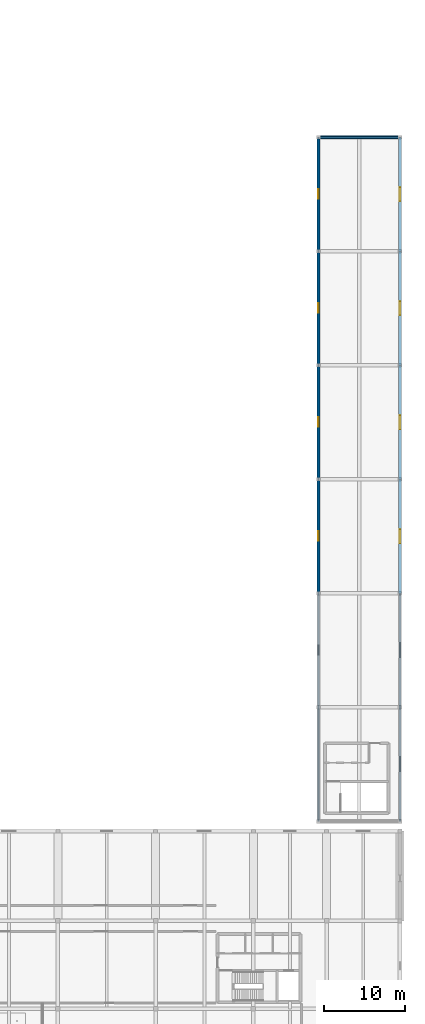
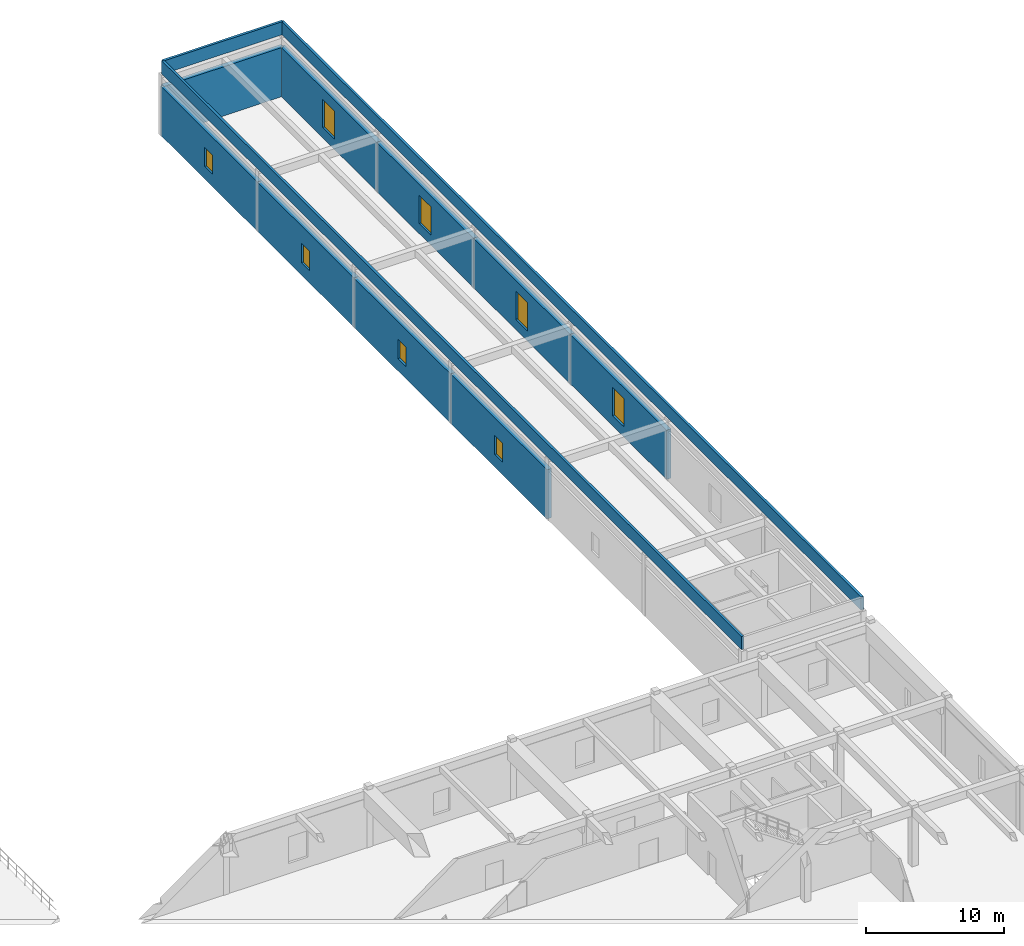
# One storey, part 86 of 97: 12 walls, 8 windows, 8 openings.
"""IFC4 building model written with IfcOpenShell, lengths in metres."""

from ifc_helpers import new_model, si_unit, derived_unit, direction, frame, frame_2d, origin, place, context, subcontext, project, spatial, rectangle, extrude, material, layer, layer_set, type_object, element, fill, save


model = new_model("IFC4")

# Units and contexts
model_context = context("Model", 3, precision=1e-05, world=origin(), true_north=direction((0.0, 1.0)))
body_context = subcontext(model_context, "Body", "Model", "MODEL_VIEW")
ifc_project = project(units=[si_unit("LENGTHUNIT", "METRE"), si_unit("AREAUNIT", "SQUARE_METRE"), si_unit("VOLUMEUNIT", "CUBIC_METRE"), si_unit("PLANEANGLEUNIT", "RADIAN"), si_unit("MASSUNIT", "GRAM", prefix="KILO"), derived_unit("THERMALTRANSMITTANCEUNIT", [(si_unit("POWERUNIT", "WATT"), 1), (si_unit("LENGTHUNIT", "METRE"), -2), (si_unit("THERMODYNAMICTEMPERATUREUNIT", "KELVIN"), -1)])], contexts=[model_context])

# Site, building, storey
site_placement = place(None, origin())
site = spatial("IfcSite", under=ifc_project, at=site_placement, CompositionType="ELEMENT")
building_placement = place(site_placement, origin())
building = spatial("IfcBuilding", under=site, at=building_placement, Name="Almenara Railside Exhibition Hall", CompositionType="ELEMENT")
storey_placement = place(building_placement, frame((0.0, 0.0, 10.800048828125)))
storey = spatial("IfcBuildingStorey", under=building, at=storey_placement, Name="L02", CompositionType="ELEMENT", Elevation=10.800048828125)

# Wall, opening, window
ifc_material_1 = material(Name="Ochre-white lime-rendered masonry over Concrete C35/45", Category="masonry")
ifc_layer_1 = layer(ifc_material_1, 0.385009765625, Name="Ochre-white lime-rendered masonry over Concrete C35/45")
ifc_layer_set_1 = layer_set([ifc_layer_1], Name="Ochre-white lime-rendered masonry over Concrete C35/45")
wall_type_1 = type_object("IfcWallType", Name="Exterior Arcade Spandrel Wall 385mm C35/45", PredefinedType="SOLIDWALL", material=ifc_layer_set_1)
wall_1_placement = place(storey_placement, frame((204.0, 62.0, 0.0), z_axis=(0.0, 0.0, 1.0), x_axis=(0.0, 1.0, 0.0)))
wall_1 = element("IfcWall", 1, at=wall_1_placement, inside=storey, type_object=wall_type_1, Name="Exterior wall 0270", PredefinedType="SOLIDWALL", context=body_context, shape_type="SweptSolid", body=[
    extrude(rectangle(XDim=14.0, YDim=0.385009765625, at=frame_2d((7.0, 0.0))), origin(), (0.0, 0.0, 1.0), 4.349853515625),
])
opening_1_placement = place(wall_1_placement, frame((6.14990234375, 0.0, 0.89990234375)))
opening_1 = element("IfcOpeningElement", 2, at=opening_1_placement, cuts=wall_1, Name="Opening W-06", PredefinedType="OPENING", context=body_context, shape_type="SweptSolid", body=[
    extrude(rectangle(XDim=1.699951171875, YDim=2.5, at=frame_2d((0.85009765625, 1.25))), frame((0.0, 0.202392578125, 0.0), z_axis=(0.0, -1.0, 0.0), x_axis=(1.0, 0.0, 0.0)), (0.0, 0.0, 1.0), 0.405029296875),
])
ifc_material_2 = material(Name="Bronze-anodised aluminium and low-E double glazing", Category="aluminium")
window_type_1 = type_object("IfcWindowType", Name="East Gallery Arched Window 1700x2500", PartitioningType="DOUBLE_PANEL_VERTICAL", PredefinedType="WINDOW", material=ifc_material_2)
window_1_placement = place(opening_1_placement, origin())
window_1 = element("IfcWindow", 3, at=window_1_placement, inside=storey, type_object=window_type_1, Name="Window 0115", OverallHeight=2.5, OverallWidth=1.699951171875, PartitioningType="DOUBLE_PANEL_VERTICAL", PredefinedType="WINDOW", context=body_context, shape_type="SweptSolid", body=[
    extrude(rectangle(XDim=1.699951171875, YDim=2.5, at=frame_2d((0.85009765625, 1.25))), frame((0.0, 0.030029296875, 0.0), z_axis=(0.0, -1.0, 0.0), x_axis=(1.0, 0.0, 0.0)), (0.0, 0.0, 1.0), 0.06005859375),
])
fill(opening_1, window_1)

wall_2_placement = place(storey_placement, frame((194.0, 76.0, 0.0), z_axis=(0.0, 0.0, 1.0), x_axis=(0.0, -1.0, 0.0)))
wall_2 = element("IfcWall", 4, at=wall_2_placement, inside=storey, type_object=wall_type_1, Name="Exterior wall 0271", PredefinedType="SOLIDWALL", context=body_context, shape_type="SweptSolid", body=[
    extrude(rectangle(XDim=14.0, YDim=0.385009765625, at=frame_2d((7.0, 0.0))), origin(), (0.0, 0.0, 1.0), 4.349853515625),
])
opening_2_placement = place(wall_2_placement, frame((6.39990234375, 0.0, 1.10009765625)))
opening_2 = element("IfcOpeningElement", 5, at=opening_2_placement, cuts=wall_2, Name="Opening W-11", PredefinedType="OPENING", context=body_context, shape_type="SweptSolid", body=[
    extrude(rectangle(XDim=1.14990234375, YDim=1.699951171875, at=frame_2d((0.574951171875, 0.85009765625))), frame((0.0, 0.202392578125, 0.0), z_axis=(0.0, -1.0, 0.0), x_axis=(1.0, 0.0, 0.0)), (0.0, 0.0, 1.0), 0.405029296875),
])
window_type_2 = type_object("IfcWindowType", Name="South Gallery Punched Window 1150x1700", PartitioningType="SINGLE_PANEL", PredefinedType="WINDOW", material=ifc_material_2)
window_2_placement = place(opening_2_placement, origin())
window_2 = element("IfcWindow", 6, at=window_2_placement, inside=storey, type_object=window_type_2, Name="Window 0116", OverallHeight=1.699951171875, OverallWidth=1.14990234375, PartitioningType="SINGLE_PANEL", PredefinedType="WINDOW", context=body_context, shape_type="SweptSolid", body=[
    extrude(rectangle(XDim=1.14990234375, YDim=1.699951171875, at=frame_2d((0.574951171875, 0.85009765625))), frame((0.0, 0.030029296875, 0.0), z_axis=(0.0, -1.0, 0.0), x_axis=(1.0, 0.0, 0.0)), (0.0, 0.0, 1.0), 0.06005859375),
])
fill(opening_2, window_2)

wall_3_placement = place(storey_placement, frame((204.0, 76.0, 0.0), z_axis=(0.0, 0.0, 1.0), x_axis=(0.0, 1.0, 0.0)))
wall_3 = element("IfcWall", 7, at=wall_3_placement, inside=storey, type_object=wall_type_1, Name="Exterior wall 0272", PredefinedType="SOLIDWALL", context=body_context, shape_type="SweptSolid", body=[
    extrude(rectangle(XDim=14.0, YDim=0.385009765625, at=frame_2d((7.0, 0.0))), origin(), (0.0, 0.0, 1.0), 4.349853515625),
])
opening_3_placement = place(wall_3_placement, frame((6.14990234375, 0.0, 0.89990234375)))
opening_3 = element("IfcOpeningElement", 8, at=opening_3_placement, cuts=wall_3, Name="Opening W-06", PredefinedType="OPENING", context=body_context, shape_type="SweptSolid", body=[
    extrude(rectangle(XDim=1.699951171875, YDim=2.5, at=frame_2d((0.85009765625, 1.25))), frame((0.0, 0.202392578125, 0.0), z_axis=(0.0, -1.0, 0.0), x_axis=(1.0, 0.0, 0.0)), (0.0, 0.0, 1.0), 0.405029296875),
])
window_3_placement = place(opening_3_placement, origin())
window_3 = element("IfcWindow", 9, at=window_3_placement, inside=storey, type_object=window_type_1, Name="Window 0117", OverallHeight=2.5, OverallWidth=1.699951171875, PartitioningType="DOUBLE_PANEL_VERTICAL", PredefinedType="WINDOW", context=body_context, shape_type="SweptSolid", body=[
    extrude(rectangle(XDim=1.699951171875, YDim=2.5, at=frame_2d((0.85009765625, 1.25))), frame((0.0, 0.030029296875, 0.0), z_axis=(0.0, -1.0, 0.0), x_axis=(1.0, 0.0, 0.0)), (0.0, 0.0, 1.0), 0.06005859375),
])
fill(opening_3, window_3)

wall_4_placement = place(storey_placement, frame((194.0, 90.0, 0.0), z_axis=(0.0, 0.0, 1.0), x_axis=(0.0, -1.0, 0.0)))
wall_4 = element("IfcWall", 10, at=wall_4_placement, inside=storey, type_object=wall_type_1, Name="Exterior wall 0273", PredefinedType="SOLIDWALL", context=body_context, shape_type="SweptSolid", body=[
    extrude(rectangle(XDim=14.0, YDim=0.385009765625, at=frame_2d((7.0, 0.0))), origin(), (0.0, 0.0, 1.0), 4.349853515625),
])
opening_4_placement = place(wall_4_placement, frame((6.39990234375, 0.0, 1.10009765625)))
opening_4 = element("IfcOpeningElement", 11, at=opening_4_placement, cuts=wall_4, Name="Opening W-11", PredefinedType="OPENING", context=body_context, shape_type="SweptSolid", body=[
    extrude(rectangle(XDim=1.14990234375, YDim=1.699951171875, at=frame_2d((0.574951171875, 0.85009765625))), frame((0.0, 0.202392578125, 0.0), z_axis=(0.0, -1.0, 0.0), x_axis=(1.0, 0.0, 0.0)), (0.0, 0.0, 1.0), 0.405029296875),
])
window_4_placement = place(opening_4_placement, origin())
window_4 = element("IfcWindow", 12, at=window_4_placement, inside=storey, type_object=window_type_2, Name="Window 0118", OverallHeight=1.699951171875, OverallWidth=1.14990234375, PartitioningType="SINGLE_PANEL", PredefinedType="WINDOW", context=body_context, shape_type="SweptSolid", body=[
    extrude(rectangle(XDim=1.14990234375, YDim=1.699951171875, at=frame_2d((0.574951171875, 0.85009765625))), frame((0.0, 0.030029296875, 0.0), z_axis=(0.0, -1.0, 0.0), x_axis=(1.0, 0.0, 0.0)), (0.0, 0.0, 1.0), 0.06005859375),
])
fill(opening_4, window_4)

wall_5_placement = place(storey_placement, frame((204.0, 90.0, 0.0), z_axis=(0.0, 0.0, 1.0), x_axis=(0.0, 1.0, 0.0)))
wall_5 = element("IfcWall", 13, at=wall_5_placement, inside=storey, type_object=wall_type_1, Name="Exterior wall 0274", PredefinedType="SOLIDWALL", context=body_context, shape_type="SweptSolid", body=[
    extrude(rectangle(XDim=14.0, YDim=0.385009765625, at=frame_2d((7.0, 0.0))), origin(), (0.0, 0.0, 1.0), 4.349853515625),
])
opening_5_placement = place(wall_5_placement, frame((6.14990234375, 0.0, 0.89990234375)))
opening_5 = element("IfcOpeningElement", 14, at=opening_5_placement, cuts=wall_5, Name="Opening W-06", PredefinedType="OPENING", context=body_context, shape_type="SweptSolid", body=[
    extrude(rectangle(XDim=1.699951171875, YDim=2.5, at=frame_2d((0.85009765625, 1.25))), frame((0.0, 0.202392578125, 0.0), z_axis=(0.0, -1.0, 0.0), x_axis=(1.0, 0.0, 0.0)), (0.0, 0.0, 1.0), 0.405029296875),
])
window_5_placement = place(opening_5_placement, origin())
window_5 = element("IfcWindow", 15, at=window_5_placement, inside=storey, type_object=window_type_1, Name="Window 0119", OverallHeight=2.5, OverallWidth=1.699951171875, PartitioningType="DOUBLE_PANEL_VERTICAL", PredefinedType="WINDOW", context=body_context, shape_type="SweptSolid", body=[
    extrude(rectangle(XDim=1.699951171875, YDim=2.5, at=frame_2d((0.85009765625, 1.25))), frame((0.0, 0.030029296875, 0.0), z_axis=(0.0, -1.0, 0.0), x_axis=(1.0, 0.0, 0.0)), (0.0, 0.0, 1.0), 0.06005859375),
])
fill(opening_5, window_5)

wall_6_placement = place(storey_placement, frame((194.0, 104.0, 0.0), z_axis=(0.0, 0.0, 1.0), x_axis=(0.0, -1.0, 0.0)))
wall_6 = element("IfcWall", 16, at=wall_6_placement, inside=storey, type_object=wall_type_1, Name="Exterior wall 0275", PredefinedType="SOLIDWALL", context=body_context, shape_type="SweptSolid", body=[
    extrude(rectangle(XDim=14.0, YDim=0.385009765625, at=frame_2d((7.0, 0.0))), origin(), (0.0, 0.0, 1.0), 4.349853515625),
])
opening_6_placement = place(wall_6_placement, frame((6.39990234375, 0.0, 1.10009765625)))
opening_6 = element("IfcOpeningElement", 17, at=opening_6_placement, cuts=wall_6, Name="Opening W-11", PredefinedType="OPENING", context=body_context, shape_type="SweptSolid", body=[
    extrude(rectangle(XDim=1.14990234375, YDim=1.699951171875, at=frame_2d((0.574951171875, 0.85009765625))), frame((0.0, 0.202392578125, 0.0), z_axis=(0.0, -1.0, 0.0), x_axis=(1.0, 0.0, 0.0)), (0.0, 0.0, 1.0), 0.405029296875),
])
window_6_placement = place(opening_6_placement, origin())
window_6 = element("IfcWindow", 18, at=window_6_placement, inside=storey, type_object=window_type_2, Name="Window 0120", OverallHeight=1.699951171875, OverallWidth=1.14990234375, PartitioningType="SINGLE_PANEL", PredefinedType="WINDOW", context=body_context, shape_type="SweptSolid", body=[
    extrude(rectangle(XDim=1.14990234375, YDim=1.699951171875, at=frame_2d((0.574951171875, 0.85009765625))), frame((0.0, 0.030029296875, 0.0), z_axis=(0.0, -1.0, 0.0), x_axis=(1.0, 0.0, 0.0)), (0.0, 0.0, 1.0), 0.06005859375),
])
fill(opening_6, window_6)

wall_7_placement = place(storey_placement, frame((204.0, 104.0, 0.0), z_axis=(0.0, 0.0, 1.0), x_axis=(0.0, 1.0, 0.0)))
wall_7 = element("IfcWall", 19, at=wall_7_placement, inside=storey, type_object=wall_type_1, Name="Exterior wall 0276", PredefinedType="SOLIDWALL", context=body_context, shape_type="SweptSolid", body=[
    extrude(rectangle(XDim=14.0, YDim=0.385009765625, at=frame_2d((7.0, 0.0))), origin(), (0.0, 0.0, 1.0), 4.349853515625),
])
opening_7_placement = place(wall_7_placement, frame((6.14990234375, 0.0, 0.89990234375)))
opening_7 = element("IfcOpeningElement", 20, at=opening_7_placement, cuts=wall_7, Name="Opening W-06", PredefinedType="OPENING", context=body_context, shape_type="SweptSolid", body=[
    extrude(rectangle(XDim=1.699951171875, YDim=2.5, at=frame_2d((0.85009765625, 1.25))), frame((0.0, 0.202392578125, 0.0), z_axis=(0.0, -1.0, 0.0), x_axis=(1.0, 0.0, 0.0)), (0.0, 0.0, 1.0), 0.405029296875),
])
window_7_placement = place(opening_7_placement, origin())
window_7 = element("IfcWindow", 21, at=window_7_placement, inside=storey, type_object=window_type_1, Name="Window 0121", OverallHeight=2.5, OverallWidth=1.699951171875, PartitioningType="DOUBLE_PANEL_VERTICAL", PredefinedType="WINDOW", context=body_context, shape_type="SweptSolid", body=[
    extrude(rectangle(XDim=1.699951171875, YDim=2.5, at=frame_2d((0.85009765625, 1.25))), frame((0.0, 0.030029296875, 0.0), z_axis=(0.0, -1.0, 0.0), x_axis=(1.0, 0.0, 0.0)), (0.0, 0.0, 1.0), 0.06005859375),
])
fill(opening_7, window_7)

wall_8_placement = place(storey_placement, frame((194.0, 118.0, 0.0), z_axis=(0.0, 0.0, 1.0), x_axis=(0.0, -1.0, 0.0)))
wall_8 = element("IfcWall", 22, at=wall_8_placement, inside=storey, type_object=wall_type_1, Name="Exterior wall 0277", PredefinedType="SOLIDWALL", context=body_context, shape_type="SweptSolid", body=[
    extrude(rectangle(XDim=14.0, YDim=0.385009765625, at=frame_2d((7.0, 0.0))), origin(), (0.0, 0.0, 1.0), 4.349853515625),
])
opening_8_placement = place(wall_8_placement, frame((6.39990234375, 0.0, 1.10009765625)))
opening_8 = element("IfcOpeningElement", 23, at=opening_8_placement, cuts=wall_8, Name="Opening W-11", PredefinedType="OPENING", context=body_context, shape_type="SweptSolid", body=[
    extrude(rectangle(XDim=1.14990234375, YDim=1.699951171875, at=frame_2d((0.574951171875, 0.85009765625))), frame((0.0, 0.202392578125, 0.0), z_axis=(0.0, -1.0, 0.0), x_axis=(1.0, 0.0, 0.0)), (0.0, 0.0, 1.0), 0.405029296875),
])
window_8_placement = place(opening_8_placement, origin())
window_8 = element("IfcWindow", 24, at=window_8_placement, inside=storey, type_object=window_type_2, Name="Window 0122", OverallHeight=1.699951171875, OverallWidth=1.14990234375, PartitioningType="SINGLE_PANEL", PredefinedType="WINDOW", context=body_context, shape_type="SweptSolid", body=[
    extrude(rectangle(XDim=1.14990234375, YDim=1.699951171875, at=frame_2d((0.574951171875, 0.85009765625))), frame((0.0, 0.030029296875, 0.0), z_axis=(0.0, -1.0, 0.0), x_axis=(1.0, 0.0, 0.0)), (0.0, 0.0, 1.0), 0.06005859375),
])
fill(opening_8, window_8)

# Walls
wall_9_placement = place(storey_placement, frame((204.0, 118.0, 0.0), z_axis=(0.0, 0.0, 1.0), x_axis=(-1.0, 0.0, 0.0)))
element("IfcWall", 25, at=wall_9_placement, inside=storey, type_object=wall_type_1, Name="Exterior wall 0279", PredefinedType="SOLIDWALL", context=body_context, shape_type="SweptSolid", body=[
    extrude(rectangle(XDim=10.0, YDim=0.385009765625, at=frame_2d((5.0, 0.0))), origin(), (0.0, 0.0, 1.0), 4.349853515625),
])
ifc_material_3 = material(Name="Ochre-white lime-rendered Concrete C35/45", Category="concrete")
ifc_layer_2 = layer(ifc_material_3, 0.205078125, Name="Ochre-white lime-rendered Concrete C35/45")
ifc_layer_set_2 = layer_set([ifc_layer_2], Name="Ochre-white lime-rendered Concrete C35/45")
wall_type_2 = type_object("IfcWallType", Name="Stucco Roof Parapet Wall 205mm C35/45", PredefinedType="PARAPET", material=ifc_layer_set_2)
wall_10_placement = place(storey_placement, frame((204.0, 34.0, 5.39990234375), z_axis=(0.0, 0.0, 1.0), x_axis=(0.0, 1.0, 0.0)))
element("IfcWall", 26, at=wall_10_placement, inside=storey, type_object=wall_type_2, Name="Exterior wall 0298", PredefinedType="PARAPET", context=body_context, shape_type="SweptSolid", body=[
    extrude(rectangle(XDim=84.0, YDim=0.205078125, at=frame_2d((42.0, 0.0))), origin(), (0.0, 0.0, 1.0), 1.150146484375),
])
wall_11_placement = place(storey_placement, frame((204.0, 118.0, 5.39990234375), z_axis=(0.0, 0.0, 1.0), x_axis=(-1.0, 0.0, 0.0)))
element("IfcWall", 27, at=wall_11_placement, inside=storey, type_object=wall_type_2, Name="Exterior wall 0299", PredefinedType="PARAPET", context=body_context, shape_type="SweptSolid", body=[
    extrude(rectangle(XDim=10.0, YDim=0.205078125, at=frame_2d((5.0, 0.0))), origin(), (0.0, 0.0, 1.0), 1.150146484375),
])
wall_12_placement = place(storey_placement, frame((194.0, 118.0, 5.39990234375), z_axis=(0.0, 0.0, 1.0), x_axis=(0.0, -1.0, 0.0)))
element("IfcWall", 28, at=wall_12_placement, inside=storey, type_object=wall_type_2, Name="Exterior wall 0300", PredefinedType="PARAPET", context=body_context, shape_type="SweptSolid", body=[
    extrude(rectangle(XDim=84.0, YDim=0.205078125, at=frame_2d((42.0, 0.0))), origin(), (0.0, 0.0, 1.0), 1.150146484375),
])

save(model, "model.ifc")
